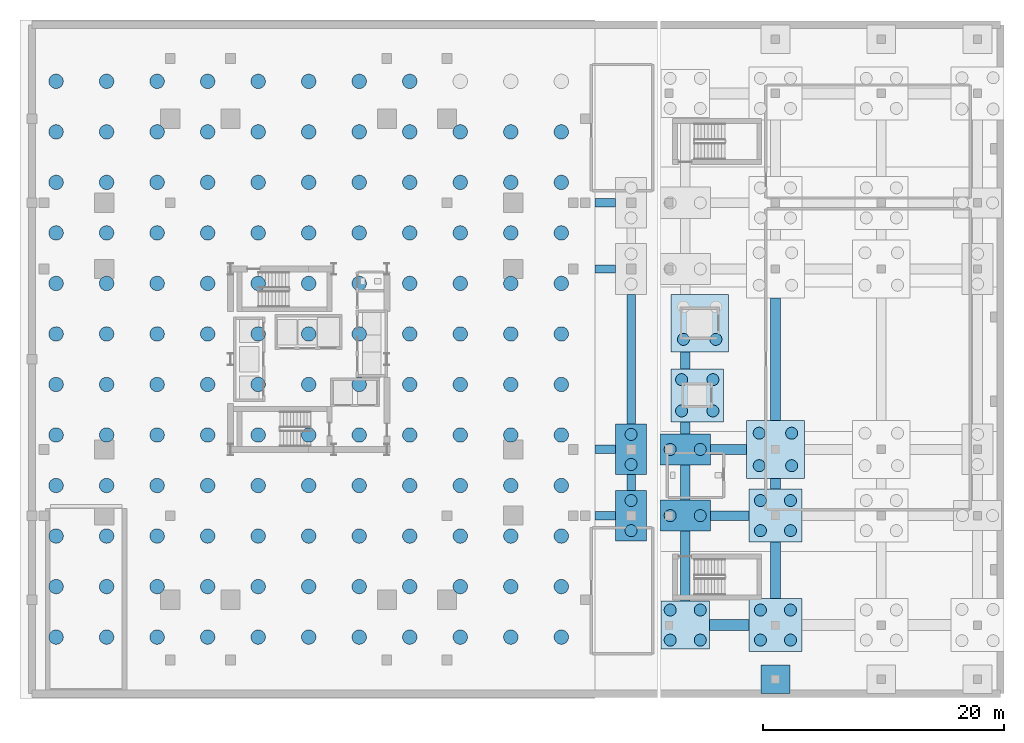
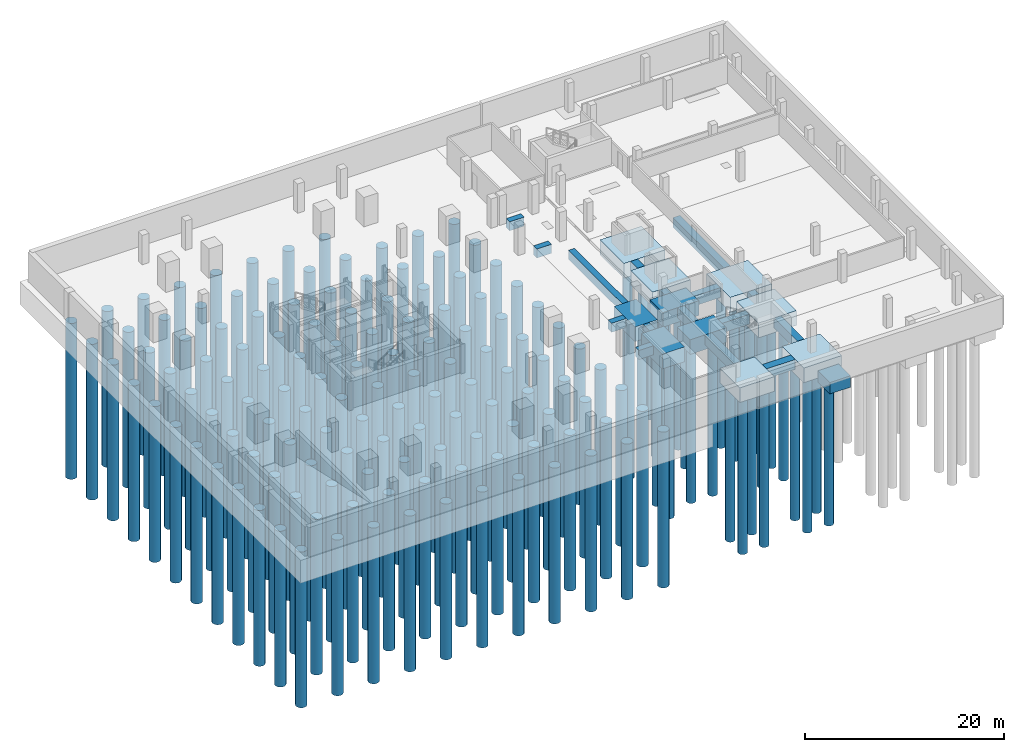
# One storey, part 1 of 13: 159 piles, 27 footings.
"""IFC4 building model written with IfcOpenShell, lengths in metres."""

from ifc_helpers import new_model, si_unit, direction, frame, origin, origin_2d, place, context, subcontext, project, spatial, rectangle, circle, extrude, material, material_profile, profile_set, type_object, element, save


model = new_model("IFC4")

# Units and contexts
model_context = context("Model", 3, precision=1e-05, world=origin(), true_north=direction((0.0, 1.0)))
body_context = subcontext(model_context, "Body", "Model", "MODEL_VIEW")
ifc_project = project(units=[si_unit("LENGTHUNIT", "METRE"), si_unit("AREAUNIT", "SQUARE_METRE"), si_unit("VOLUMEUNIT", "CUBIC_METRE"), si_unit("PLANEANGLEUNIT", "RADIAN"), si_unit("MASSUNIT", "GRAM", prefix="KILO")], contexts=[model_context])

# Site, building, storey
site_placement = place(None, origin())
site = spatial("IfcSite", under=ifc_project, at=site_placement, CompositionType="ELEMENT")
building_placement = place(site_placement, origin())
building = spatial("IfcBuilding", under=site, at=building_placement, Name="Barlavira Tower and Art Museum", CompositionType="ELEMENT")
storey_placement = place(building_placement, frame((0.0, 0.0, -7.199951171875)))
storey = spatial("IfcBuildingStorey", under=building, at=storey_placement, Name="B02", CompositionType="ELEMENT", Elevation=-7.199951171875)

# Footings
ifc_material = material(Name="Concrete C50", Category="concrete")
footing_type_1 = type_object("IfcFootingType", Name="Four-Pile Cap 4000x4000x1800 Concrete C50", PredefinedType="PILE_CAP", material=ifc_material)
footing_1_placement = place(storey_placement, frame((31.300048828125, -22.10009765625, -1.80029296875), z_axis=(0.0, 0.0, 1.0), x_axis=(1.0, 0.0, 0.0)))
element("IfcFooting", 1, at=footing_1_placement, inside=storey, type_object=footing_type_1, Name="Pile Cap PC-M-1-1", PredefinedType="PILE_CAP", context=body_context, shape_type="SweptSolid", body=[
    extrude(rectangle(XDim=4.0, YDim=4.0, at=origin_2d()), origin(), (0.0, 0.0, 1.0), 1.800048828125),
])
footing_type_2 = type_object("IfcFootingType", Name="Four-Pile Cap 4400x4400x1800 Concrete C50", PredefinedType="PILE_CAP", material=ifc_material)
for number, where, z_axis, x_axis, name in (
    (2, (38.800048828125, -22.10009765625, -1.80029296875), (0.0, 0.0, 1.0), (1.0, 0.0, 0.0), "Pile Cap PC-M-2-1"),
    (3, (38.800048828125, -13.0, -1.80029296875), (0.0, 0.0, 1.0), (1.0, 0.0, 0.0), "Pile Cap PC-M-2-2"),
    (4, (32.300048828125, -3.0, -1.80029296875), (0.0, 0.0, 1.0), (1.0, 0.0, 0.0), "Pile Cap PC-ML1"),
):
    element("IfcFooting", number, at=place(storey_placement, frame(where, z_axis=z_axis, x_axis=x_axis)), inside=storey, type_object=footing_type_2, Name=name, PredefinedType="PILE_CAP", context=body_context, shape_type="SweptSolid", body=[
        extrude(rectangle(XDim=4.39990234375, YDim=4.39990234375, at=origin_2d()), origin(), (0.0, 0.0, 1.0), 1.800048828125),
    ])
footing_type_3 = type_object("IfcFootingType", Name="Four-Pile Cap 4800x4800x1800 Concrete C50", PredefinedType="PILE_CAP", material=ifc_material)
for number, where, z_axis, x_axis, name in (
    (5, (38.800048828125, -7.5, -1.80029296875), (0.0, 0.0, 1.0), (1.0, 0.0, 0.0), "Pile Cap PC-M-2-3"),
    (6, (32.5, 3.0, -1.80029296875), (0.0, 0.0, 1.0), (1.0, 0.0, 0.0), "Pile Cap PC-MG1"),
):
    element("IfcFooting", number, at=place(storey_placement, frame(where, z_axis=z_axis, x_axis=x_axis)), inside=storey, type_object=footing_type_3, Name=name, PredefinedType="PILE_CAP", context=body_context, shape_type="SweptSolid", body=[
        extrude(rectangle(XDim=4.800048828125, YDim=4.800048828125, at=origin_2d()), origin(), (0.0, 0.0, 1.0), 1.800048828125),
    ])
footing_type_4 = type_object("IfcFootingType", Name="Garden Pergola Pad Footing 2400x2400x1400 Concrete C50", PredefinedType="PAD_FOOTING", material=ifc_material)
footing_2_placement = place(storey_placement, frame((38.800048828125, -26.60009765625, -1.39990234375), z_axis=(0.0, 0.0, 1.0), x_axis=(1.0, 0.0, 0.0)))
element("IfcFooting", 7, at=footing_2_placement, inside=storey, type_object=footing_type_4, Name="Sculpture Pergola Pad Footing PF-01", PredefinedType="PAD_FOOTING", context=body_context, shape_type="SweptSolid", body=[
    extrude(rectangle(XDim=2.39990234375, YDim=2.39990234375, at=origin_2d()), origin(), (0.0, 0.0, 1.0), 1.39990234375),
])

# Piles
ifc_material_profile_1 = material_profile(ifc_material, circle(Radius=0.5, at=origin_2d()), Name="BORED PILE D1000")
ifc_profile_set_1 = profile_set([ifc_material_profile_1], Name="Concrete C50")
pile_type_1 = type_object("IfcPileType", Name="Rock-Socketed Bored Pile D1000 Concrete C50", PredefinedType="BORED", material=ifc_profile_set_1)
for number, where, z_axis, x_axis, name in (
    (8, (26.800048828125, -14.25, -1.699951171875), (0.0, 0.0, -1.0), (1.0, 0.0, 0.0), "Museum Cap Bored Pile PL-M-001"),
    (9, (26.800048828125, -11.75, -1.699951171875), (0.0, 0.0, -1.0), (1.0, 0.0, 0.0), "Museum Cap Bored Pile PL-M-002"),
    (10, (26.800048828125, -8.75, -1.699951171875), (0.0, 0.0, -1.0), (1.0, 0.0, 0.0), "Museum Cap Bored Pile PL-M-003"),
    (11, (26.800048828125, -6.25, -1.699951171875), (0.0, 0.0, -1.0), (1.0, 0.0, 0.0), "Museum Cap Bored Pile PL-M-004"),
    (12, (30.050048828125, -23.35009765625, -1.699951171875), (0.0, 0.0, -1.0), (1.0, 0.0, 0.0), "Museum Cap Bored Pile PL-M-009"),
    (13, (32.550048828125, -23.35009765625, -1.699951171875), (0.0, 0.0, -1.0), (1.0, 0.0, 0.0), "Museum Cap Bored Pile PL-M-010"),
    (14, (30.050048828125, -20.85009765625, -1.699951171875), (0.0, 0.0, -1.0), (1.0, 0.0, 0.0), "Museum Cap Bored Pile PL-M-011"),
    (15, (32.550048828125, -20.85009765625, -1.699951171875), (0.0, 0.0, -1.0), (1.0, 0.0, 0.0), "Museum Cap Bored Pile PL-M-012"),
    (16, (30.050048828125, -13.0, -1.699951171875), (0.0, 0.0, -1.0), (1.0, 0.0, 0.0), "Museum Cap Bored Pile PL-M-013"),
    (17, (32.550048828125, -13.0, -1.699951171875), (0.0, 0.0, -1.0), (1.0, 0.0, 0.0), "Museum Cap Bored Pile PL-M-014"),
    (18, (30.050048828125, -7.5, -1.699951171875), (0.0, 0.0, -1.0), (1.0, 0.0, 0.0), "Museum Cap Bored Pile PL-M-015"),
    (19, (32.550048828125, -7.5, -1.699951171875), (0.0, 0.0, -1.0), (1.0, 0.0, 0.0), "Museum Cap Bored Pile PL-M-016"),
    (20, (37.550048828125, -23.35009765625, -1.699951171875), (0.0, 0.0, -1.0), (1.0, 0.0, 0.0), "Museum Cap Bored Pile PL-M-025"),
    (21, (40.050048828125, -23.35009765625, -1.699951171875), (0.0, 0.0, -1.0), (1.0, 0.0, 0.0), "Museum Cap Bored Pile PL-M-026"),
    (22, (37.550048828125, -20.85009765625, -1.699951171875), (0.0, 0.0, -1.0), (1.0, 0.0, 0.0), "Museum Cap Bored Pile PL-M-027"),
    (23, (40.050048828125, -20.85009765625, -1.699951171875), (0.0, 0.0, -1.0), (1.0, 0.0, 0.0), "Museum Cap Bored Pile PL-M-028"),
    (24, (37.550048828125, -14.25, -1.699951171875), (0.0, 0.0, -1.0), (1.0, 0.0, 0.0), "Museum Cap Bored Pile PL-M-029"),
    (25, (40.050048828125, -14.25, -1.699951171875), (0.0, 0.0, -1.0), (1.0, 0.0, 0.0), "Museum Cap Bored Pile PL-M-030"),
    (26, (37.550048828125, -11.75, -1.699951171875), (0.0, 0.0, -1.0), (1.0, 0.0, 0.0), "Museum Cap Bored Pile PL-M-031"),
    (27, (40.050048828125, -11.75, -1.699951171875), (0.0, 0.0, -1.0), (1.0, 0.0, 0.0), "Museum Cap Bored Pile PL-M-032"),
    (28, (37.449951171875, -8.85009765625, -1.699951171875), (0.0, 0.0, -1.0), (1.0, 0.0, 0.0), "Museum Cap Bored Pile PL-M-033"),
    (29, (40.14990234375, -8.85009765625, -1.699951171875), (0.0, 0.0, -1.0), (1.0, 0.0, 0.0), "Museum Cap Bored Pile PL-M-034"),
    (30, (37.449951171875, -6.14990234375, -1.699951171875), (0.0, 0.0, -1.0), (1.0, 0.0, 0.0), "Museum Cap Bored Pile PL-M-035"),
    (31, (40.14990234375, -6.14990234375, -1.699951171875), (0.0, 0.0, -1.0), (1.0, 0.0, 0.0), "Museum Cap Bored Pile PL-M-036"),
    (32, (31.0, -4.300048828125, -1.699951171875), (0.0, 0.0, -1.0), (1.0, 0.0, 0.0), "Museum Cap Bored Pile PL-M-089"),
    (33, (33.60009765625, -4.300048828125, -1.699951171875), (0.0, 0.0, -1.0), (1.0, 0.0, 0.0), "Museum Cap Bored Pile PL-M-090"),
    (34, (31.0, -1.699951171875, -1.699951171875), (0.0, 0.0, -1.0), (1.0, 0.0, 0.0), "Museum Cap Bored Pile PL-M-091"),
    (35, (33.60009765625, -1.699951171875, -1.699951171875), (0.0, 0.0, -1.0), (1.0, 0.0, 0.0), "Museum Cap Bored Pile PL-M-092"),
    (36, (31.14990234375, 1.64990234375, -1.699951171875), (0.0, 0.0, -1.0), (1.0, 0.0, 0.0), "Museum Cap Bored Pile PL-M-093"),
    (37, (33.85009765625, 1.64990234375, -1.699951171875), (0.0, 0.0, -1.0), (1.0, 0.0, 0.0), "Museum Cap Bored Pile PL-M-094"),
):
    element("IfcPile", number, at=place(storey_placement, frame(where, z_axis=z_axis, x_axis=x_axis)), inside=storey, type_object=pile_type_1, Name=name, PredefinedType="BORED", context=body_context, shape_type="SweptSolid", body=[
        extrude(circle(Radius=0.5, at=origin_2d()), origin(), (0.0, 0.0, 1.0), 19.10009765625),
    ])
ifc_material_profile_2 = material_profile(ifc_material, circle(Radius=0.60009765625, at=origin_2d()), Name="BORED PILE D1200")
ifc_profile_set_2 = profile_set([ifc_material_profile_2], Name="Concrete C50")
pile_type_2 = type_object("IfcPileType", Name="Rock-Socketed Bored Pile D1200 Concrete C50", PredefinedType="BORED", material=ifc_profile_set_2)
for number, where, z_axis, x_axis, name in (
    (38, (-21.0, -23.10009765625, -2.699951171875), (0.0, 0.0, -1.0), (1.0, 0.0, 0.0), "Tower Bored Pile PL-T-001"),
    (39, (-21.0, -18.89990234375, -2.699951171875), (0.0, 0.0, -1.0), (1.0, 0.0, 0.0), "Tower Bored Pile PL-T-002"),
    (40, (-21.0, -14.699951171875, -2.699951171875), (0.0, 0.0, -1.0), (1.0, 0.0, 0.0), "Tower Bored Pile PL-T-003"),
    (41, (-21.0, -10.5, -2.699951171875), (0.0, 0.0, -1.0), (1.0, 0.0, 0.0), "Tower Bored Pile PL-T-004"),
    (42, (-21.0, -6.300048828125, -2.699951171875), (0.0, 0.0, -1.0), (1.0, 0.0, 0.0), "Tower Bored Pile PL-T-005"),
    (43, (-21.0, -2.10009765625, -2.699951171875), (0.0, 0.0, -1.0), (1.0, 0.0, 0.0), "Tower Bored Pile PL-T-006"),
    (44, (-21.0, 2.10009765625, -2.699951171875), (0.0, 0.0, -1.0), (1.0, 0.0, 0.0), "Tower Bored Pile PL-T-007"),
    (45, (-21.0, 6.300048828125, -2.699951171875), (0.0, 0.0, -1.0), (1.0, 0.0, 0.0), "Tower Bored Pile PL-T-008"),
    (46, (-21.0, 10.5, -2.699951171875), (0.0, 0.0, -1.0), (1.0, 0.0, 0.0), "Tower Bored Pile PL-T-009"),
    (47, (-21.0, 14.699951171875, -2.699951171875), (0.0, 0.0, -1.0), (1.0, 0.0, 0.0), "Tower Bored Pile PL-T-010"),
    (48, (-21.0, 18.89990234375, -2.699951171875), (0.0, 0.0, -1.0), (1.0, 0.0, 0.0), "Tower Bored Pile PL-T-011"),
    (49, (-21.0, 23.10009765625, -2.699951171875), (0.0, 0.0, -1.0), (1.0, 0.0, 0.0), "Tower Bored Pile PL-T-012"),
    (50, (-16.800048828125, -23.10009765625, -2.699951171875), (0.0, 0.0, -1.0), (1.0, 0.0, 0.0), "Tower Bored Pile PL-T-013"),
    (51, (-16.800048828125, -18.89990234375, -2.699951171875), (0.0, 0.0, -1.0), (1.0, 0.0, 0.0), "Tower Bored Pile PL-T-014"),
    (52, (-16.800048828125, -14.699951171875, -2.699951171875), (0.0, 0.0, -1.0), (1.0, 0.0, 0.0), "Tower Bored Pile PL-T-015"),
    (53, (-16.800048828125, -10.5, -2.699951171875), (0.0, 0.0, -1.0), (1.0, 0.0, 0.0), "Tower Bored Pile PL-T-016"),
    (54, (-16.800048828125, -6.300048828125, -2.699951171875), (0.0, 0.0, -1.0), (1.0, 0.0, 0.0), "Tower Bored Pile PL-T-017"),
    (55, (-16.800048828125, -2.10009765625, -2.699951171875), (0.0, 0.0, -1.0), (1.0, 0.0, 0.0), "Tower Bored Pile PL-T-018"),
    (56, (-16.800048828125, 2.10009765625, -2.699951171875), (0.0, 0.0, -1.0), (1.0, 0.0, 0.0), "Tower Bored Pile PL-T-019"),
    (57, (-16.800048828125, 6.300048828125, -2.699951171875), (0.0, 0.0, -1.0), (1.0, 0.0, 0.0), "Tower Bored Pile PL-T-020"),
    (58, (-16.800048828125, 10.5, -2.699951171875), (0.0, 0.0, -1.0), (1.0, 0.0, 0.0), "Tower Bored Pile PL-T-021"),
    (59, (-16.800048828125, 14.699951171875, -2.699951171875), (0.0, 0.0, -1.0), (1.0, 0.0, 0.0), "Tower Bored Pile PL-T-022"),
    (60, (-16.800048828125, 18.89990234375, -2.699951171875), (0.0, 0.0, -1.0), (1.0, 0.0, 0.0), "Tower Bored Pile PL-T-023"),
    (61, (-16.800048828125, 23.10009765625, -2.699951171875), (0.0, 0.0, -1.0), (1.0, 0.0, 0.0), "Tower Bored Pile PL-T-024"),
    (62, (-12.60009765625, -23.10009765625, -2.699951171875), (0.0, 0.0, -1.0), (1.0, 0.0, 0.0), "Tower Bored Pile PL-T-025"),
    (63, (-12.60009765625, -18.89990234375, -2.699951171875), (0.0, 0.0, -1.0), (1.0, 0.0, 0.0), "Tower Bored Pile PL-T-026"),
    (64, (-12.60009765625, -14.699951171875, -2.699951171875), (0.0, 0.0, -1.0), (1.0, 0.0, 0.0), "Tower Bored Pile PL-T-027"),
    (65, (-12.60009765625, -10.5, -2.699951171875), (0.0, 0.0, -1.0), (1.0, 0.0, 0.0), "Tower Bored Pile PL-T-028"),
    (66, (-12.60009765625, -6.300048828125, -2.699951171875), (0.0, 0.0, -1.0), (1.0, 0.0, 0.0), "Tower Bored Pile PL-T-029"),
    (67, (-12.60009765625, -2.10009765625, -2.699951171875), (0.0, 0.0, -1.0), (1.0, 0.0, 0.0), "Tower Bored Pile PL-T-030"),
    (68, (-12.60009765625, 2.10009765625, -2.699951171875), (0.0, 0.0, -1.0), (1.0, 0.0, 0.0), "Tower Bored Pile PL-T-031"),
    (69, (-12.60009765625, 6.300048828125, -2.699951171875), (0.0, 0.0, -1.0), (1.0, 0.0, 0.0), "Tower Bored Pile PL-T-032"),
    (70, (-12.60009765625, 10.5, -2.699951171875), (0.0, 0.0, -1.0), (1.0, 0.0, 0.0), "Tower Bored Pile PL-T-033"),
    (71, (-12.60009765625, 14.699951171875, -2.699951171875), (0.0, 0.0, -1.0), (1.0, 0.0, 0.0), "Tower Bored Pile PL-T-034"),
    (72, (-12.60009765625, 18.89990234375, -2.699951171875), (0.0, 0.0, -1.0), (1.0, 0.0, 0.0), "Tower Bored Pile PL-T-035"),
    (73, (-12.60009765625, 23.10009765625, -2.699951171875), (0.0, 0.0, -1.0), (1.0, 0.0, 0.0), "Tower Bored Pile PL-T-036"),
    (74, (-8.39990234375, -23.10009765625, -2.699951171875), (0.0, 0.0, -1.0), (1.0, 0.0, 0.0), "Tower Bored Pile PL-T-037"),
    (75, (-8.39990234375, -18.89990234375, -2.699951171875), (0.0, 0.0, -1.0), (1.0, 0.0, 0.0), "Tower Bored Pile PL-T-038"),
    (76, (-8.39990234375, -14.699951171875, -2.699951171875), (0.0, 0.0, -1.0), (1.0, 0.0, 0.0), "Tower Bored Pile PL-T-039"),
    (77, (-8.39990234375, -10.5, -2.699951171875), (0.0, 0.0, -1.0), (1.0, 0.0, 0.0), "Tower Bored Pile PL-T-040"),
    (78, (-8.39990234375, -6.300048828125, -2.699951171875), (0.0, 0.0, -1.0), (1.0, 0.0, 0.0), "Tower Bored Pile PL-T-041"),
    (79, (-8.39990234375, -2.10009765625, -2.699951171875), (0.0, 0.0, -1.0), (1.0, 0.0, 0.0), "Tower Bored Pile PL-T-042"),
    (80, (-8.39990234375, 2.10009765625, -2.699951171875), (0.0, 0.0, -1.0), (1.0, 0.0, 0.0), "Tower Bored Pile PL-T-043"),
    (81, (-8.39990234375, 6.300048828125, -2.699951171875), (0.0, 0.0, -1.0), (1.0, 0.0, 0.0), "Tower Bored Pile PL-T-044"),
    (82, (-8.39990234375, 10.5, -2.699951171875), (0.0, 0.0, -1.0), (1.0, 0.0, 0.0), "Tower Bored Pile PL-T-045"),
    (83, (-8.39990234375, 14.699951171875, -2.699951171875), (0.0, 0.0, -1.0), (1.0, 0.0, 0.0), "Tower Bored Pile PL-T-046"),
    (84, (-8.39990234375, 18.89990234375, -2.699951171875), (0.0, 0.0, -1.0), (1.0, 0.0, 0.0), "Tower Bored Pile PL-T-047"),
    (85, (-8.39990234375, 23.10009765625, -2.699951171875), (0.0, 0.0, -1.0), (1.0, 0.0, 0.0), "Tower Bored Pile PL-T-048"),
    (86, (-4.199951171875, -23.10009765625, -2.699951171875), (0.0, 0.0, -1.0), (1.0, 0.0, 0.0), "Tower Bored Pile PL-T-049"),
    (87, (-4.199951171875, -18.89990234375, -2.699951171875), (0.0, 0.0, -1.0), (1.0, 0.0, 0.0), "Tower Bored Pile PL-T-050"),
    (88, (-4.199951171875, -14.699951171875, -2.699951171875), (0.0, 0.0, -1.0), (1.0, 0.0, 0.0), "Tower Bored Pile PL-T-051"),
    (89, (-4.199951171875, -10.5, -2.699951171875), (0.0, 0.0, -1.0), (1.0, 0.0, 0.0), "Tower Bored Pile PL-T-052"),
    (90, (-4.199951171875, -6.300048828125, -2.699951171875), (0.0, 0.0, -1.0), (1.0, 0.0, 0.0), "Tower Bored Pile PL-T-053"),
    (91, (-4.199951171875, -2.10009765625, -2.699951171875), (0.0, 0.0, -1.0), (1.0, 0.0, 0.0), "Tower Bored Pile PL-T-054"),
    (92, (-4.199951171875, 2.10009765625, -2.699951171875), (0.0, 0.0, -1.0), (1.0, 0.0, 0.0), "Tower Bored Pile PL-T-055"),
    (93, (-4.199951171875, 6.300048828125, -2.699951171875), (0.0, 0.0, -1.0), (1.0, 0.0, 0.0), "Tower Bored Pile PL-T-056"),
    (94, (-4.199951171875, 10.5, -2.699951171875), (0.0, 0.0, -1.0), (1.0, 0.0, 0.0), "Tower Bored Pile PL-T-057"),
    (95, (-4.199951171875, 14.699951171875, -2.699951171875), (0.0, 0.0, -1.0), (1.0, 0.0, 0.0), "Tower Bored Pile PL-T-058"),
    (96, (-4.199951171875, 18.89990234375, -2.699951171875), (0.0, 0.0, -1.0), (1.0, 0.0, 0.0), "Tower Bored Pile PL-T-059"),
    (97, (-4.199951171875, 23.10009765625, -2.699951171875), (0.0, 0.0, -1.0), (1.0, 0.0, 0.0), "Tower Bored Pile PL-T-060"),
    (98, (0.0, -23.10009765625, -2.699951171875), (0.0, 0.0, -1.0), (1.0, 0.0, 0.0), "Tower Bored Pile PL-T-061"),
    (99, (0.0, -18.89990234375, -2.699951171875), (0.0, 0.0, -1.0), (1.0, 0.0, 0.0), "Tower Bored Pile PL-T-062"),
    (100, (0.0, -14.699951171875, -2.699951171875), (0.0, 0.0, -1.0), (1.0, 0.0, 0.0), "Tower Bored Pile PL-T-063"),
    (101, (0.0, -10.5, -2.699951171875), (0.0, 0.0, -1.0), (1.0, 0.0, 0.0), "Tower Bored Pile PL-T-064"),
    (102, (0.0, -6.300048828125, -2.699951171875), (0.0, 0.0, -1.0), (1.0, 0.0, 0.0), "Tower Bored Pile PL-T-065"),
    (103, (0.0, -2.10009765625, -2.699951171875), (0.0, 0.0, -1.0), (1.0, 0.0, 0.0), "Tower Bored Pile PL-T-066"),
    (104, (0.0, 2.10009765625, -2.699951171875), (0.0, 0.0, -1.0), (1.0, 0.0, 0.0), "Tower Bored Pile PL-T-067"),
    (105, (0.0, 6.300048828125, -2.699951171875), (0.0, 0.0, -1.0), (1.0, 0.0, 0.0), "Tower Bored Pile PL-T-068"),
    (106, (0.0, 10.5, -2.699951171875), (0.0, 0.0, -1.0), (1.0, 0.0, 0.0), "Tower Bored Pile PL-T-069"),
    (107, (0.0, 14.699951171875, -2.699951171875), (0.0, 0.0, -1.0), (1.0, 0.0, 0.0), "Tower Bored Pile PL-T-070"),
    (108, (0.0, 18.89990234375, -2.699951171875), (0.0, 0.0, -1.0), (1.0, 0.0, 0.0), "Tower Bored Pile PL-T-071"),
    (109, (0.0, 23.10009765625, -2.699951171875), (0.0, 0.0, -1.0), (1.0, 0.0, 0.0), "Tower Bored Pile PL-T-072"),
    (110, (4.199951171875, -23.10009765625, -2.699951171875), (0.0, 0.0, -1.0), (1.0, 0.0, 0.0), "Tower Bored Pile PL-T-073"),
    (111, (4.199951171875, -18.89990234375, -2.699951171875), (0.0, 0.0, -1.0), (1.0, 0.0, 0.0), "Tower Bored Pile PL-T-074"),
    (112, (4.199951171875, -14.699951171875, -2.699951171875), (0.0, 0.0, -1.0), (1.0, 0.0, 0.0), "Tower Bored Pile PL-T-075"),
    (113, (4.199951171875, -10.5, -2.699951171875), (0.0, 0.0, -1.0), (1.0, 0.0, 0.0), "Tower Bored Pile PL-T-076"),
    (114, (4.199951171875, -6.300048828125, -2.699951171875), (0.0, 0.0, -1.0), (1.0, 0.0, 0.0), "Tower Bored Pile PL-T-077"),
    (115, (4.199951171875, -2.10009765625, -2.699951171875), (0.0, 0.0, -1.0), (1.0, 0.0, 0.0), "Tower Bored Pile PL-T-078"),
    (116, (4.199951171875, 2.10009765625, -2.699951171875), (0.0, 0.0, -1.0), (1.0, 0.0, 0.0), "Tower Bored Pile PL-T-079"),
    (117, (4.199951171875, 6.300048828125, -2.699951171875), (0.0, 0.0, -1.0), (1.0, 0.0, 0.0), "Tower Bored Pile PL-T-080"),
    (118, (4.199951171875, 10.5, -2.699951171875), (0.0, 0.0, -1.0), (1.0, 0.0, 0.0), "Tower Bored Pile PL-T-081"),
    (119, (4.199951171875, 14.699951171875, -2.699951171875), (0.0, 0.0, -1.0), (1.0, 0.0, 0.0), "Tower Bored Pile PL-T-082"),
    (120, (4.199951171875, 18.89990234375, -2.699951171875), (0.0, 0.0, -1.0), (1.0, 0.0, 0.0), "Tower Bored Pile PL-T-083"),
    (121, (4.199951171875, 23.10009765625, -2.699951171875), (0.0, 0.0, -1.0), (1.0, 0.0, 0.0), "Tower Bored Pile PL-T-084"),
    (122, (8.39990234375, -23.10009765625, -2.699951171875), (0.0, 0.0, -1.0), (1.0, 0.0, 0.0), "Tower Bored Pile PL-T-085"),
    (123, (8.39990234375, -18.89990234375, -2.699951171875), (0.0, 0.0, -1.0), (1.0, 0.0, 0.0), "Tower Bored Pile PL-T-086"),
    (124, (8.39990234375, -14.699951171875, -2.699951171875), (0.0, 0.0, -1.0), (1.0, 0.0, 0.0), "Tower Bored Pile PL-T-087"),
    (125, (8.39990234375, -10.5, -2.699951171875), (0.0, 0.0, -1.0), (1.0, 0.0, 0.0), "Tower Bored Pile PL-T-088"),
    (126, (8.39990234375, -6.300048828125, -2.699951171875), (0.0, 0.0, -1.0), (1.0, 0.0, 0.0), "Tower Bored Pile PL-T-089"),
    (127, (8.39990234375, -2.10009765625, -2.699951171875), (0.0, 0.0, -1.0), (1.0, 0.0, 0.0), "Tower Bored Pile PL-T-090"),
    (128, (8.39990234375, 2.10009765625, -2.699951171875), (0.0, 0.0, -1.0), (1.0, 0.0, 0.0), "Tower Bored Pile PL-T-091"),
    (129, (8.39990234375, 6.300048828125, -2.699951171875), (0.0, 0.0, -1.0), (1.0, 0.0, 0.0), "Tower Bored Pile PL-T-092"),
    (130, (8.39990234375, 10.5, -2.699951171875), (0.0, 0.0, -1.0), (1.0, 0.0, 0.0), "Tower Bored Pile PL-T-093"),
    (131, (8.39990234375, 14.699951171875, -2.699951171875), (0.0, 0.0, -1.0), (1.0, 0.0, 0.0), "Tower Bored Pile PL-T-094"),
    (132, (8.39990234375, 18.89990234375, -2.699951171875), (0.0, 0.0, -1.0), (1.0, 0.0, 0.0), "Tower Bored Pile PL-T-095"),
    (133, (8.39990234375, 23.10009765625, -2.699951171875), (0.0, 0.0, -1.0), (1.0, 0.0, 0.0), "Tower Bored Pile PL-T-096"),
    (134, (12.60009765625, -23.10009765625, -2.699951171875), (0.0, 0.0, -1.0), (1.0, 0.0, 0.0), "Tower Bored Pile PL-T-097"),
    (135, (12.60009765625, -18.89990234375, -2.699951171875), (0.0, 0.0, -1.0), (1.0, 0.0, 0.0), "Tower Bored Pile PL-T-098"),
    (136, (12.60009765625, -14.699951171875, -2.699951171875), (0.0, 0.0, -1.0), (1.0, 0.0, 0.0), "Tower Bored Pile PL-T-099"),
    (137, (12.60009765625, -10.5, -2.699951171875), (0.0, 0.0, -1.0), (1.0, 0.0, 0.0), "Tower Bored Pile PL-T-100"),
    (138, (12.60009765625, -6.300048828125, -2.699951171875), (0.0, 0.0, -1.0), (1.0, 0.0, 0.0), "Tower Bored Pile PL-T-101"),
    (139, (12.60009765625, -2.10009765625, -2.699951171875), (0.0, 0.0, -1.0), (1.0, 0.0, 0.0), "Tower Bored Pile PL-T-102"),
    (140, (12.60009765625, 2.10009765625, -2.699951171875), (0.0, 0.0, -1.0), (1.0, 0.0, 0.0), "Tower Bored Pile PL-T-103"),
    (141, (12.60009765625, 6.300048828125, -2.699951171875), (0.0, 0.0, -1.0), (1.0, 0.0, 0.0), "Tower Bored Pile PL-T-104"),
    (142, (12.60009765625, 10.5, -2.699951171875), (0.0, 0.0, -1.0), (1.0, 0.0, 0.0), "Tower Bored Pile PL-T-105"),
    (143, (12.60009765625, 14.699951171875, -2.699951171875), (0.0, 0.0, -1.0), (1.0, 0.0, 0.0), "Tower Bored Pile PL-T-106"),
    (144, (12.60009765625, 18.89990234375, -2.699951171875), (0.0, 0.0, -1.0), (1.0, 0.0, 0.0), "Tower Bored Pile PL-T-107"),
    (145, (16.800048828125, -23.10009765625, -2.699951171875), (0.0, 0.0, -1.0), (1.0, 0.0, 0.0), "Tower Bored Pile PL-T-109"),
    (146, (16.800048828125, -18.89990234375, -2.699951171875), (0.0, 0.0, -1.0), (1.0, 0.0, 0.0), "Tower Bored Pile PL-T-110"),
    (147, (16.800048828125, -14.699951171875, -2.699951171875), (0.0, 0.0, -1.0), (1.0, 0.0, 0.0), "Tower Bored Pile PL-T-111"),
    (148, (16.800048828125, -10.5, -2.699951171875), (0.0, 0.0, -1.0), (1.0, 0.0, 0.0), "Tower Bored Pile PL-T-112"),
    (149, (16.800048828125, -6.300048828125, -2.699951171875), (0.0, 0.0, -1.0), (1.0, 0.0, 0.0), "Tower Bored Pile PL-T-113"),
    (150, (16.800048828125, -2.10009765625, -2.699951171875), (0.0, 0.0, -1.0), (1.0, 0.0, 0.0), "Tower Bored Pile PL-T-114"),
    (151, (16.800048828125, 2.10009765625, -2.699951171875), (0.0, 0.0, -1.0), (1.0, 0.0, 0.0), "Tower Bored Pile PL-T-115"),
    (152, (16.800048828125, 6.300048828125, -2.699951171875), (0.0, 0.0, -1.0), (1.0, 0.0, 0.0), "Tower Bored Pile PL-T-116"),
    (153, (16.800048828125, 10.5, -2.699951171875), (0.0, 0.0, -1.0), (1.0, 0.0, 0.0), "Tower Bored Pile PL-T-117"),
    (154, (16.800048828125, 14.699951171875, -2.699951171875), (0.0, 0.0, -1.0), (1.0, 0.0, 0.0), "Tower Bored Pile PL-T-118"),
    (155, (16.800048828125, 18.89990234375, -2.699951171875), (0.0, 0.0, -1.0), (1.0, 0.0, 0.0), "Tower Bored Pile PL-T-119"),
    (156, (21.0, -23.10009765625, -2.699951171875), (0.0, 0.0, -1.0), (1.0, 0.0, 0.0), "Tower Bored Pile PL-T-121"),
    (157, (21.0, -18.89990234375, -2.699951171875), (0.0, 0.0, -1.0), (1.0, 0.0, 0.0), "Tower Bored Pile PL-T-122"),
    (158, (21.0, -14.699951171875, -2.699951171875), (0.0, 0.0, -1.0), (1.0, 0.0, 0.0), "Tower Bored Pile PL-T-123"),
    (159, (21.0, -10.5, -2.699951171875), (0.0, 0.0, -1.0), (1.0, 0.0, 0.0), "Tower Bored Pile PL-T-124"),
    (160, (21.0, -6.300048828125, -2.699951171875), (0.0, 0.0, -1.0), (1.0, 0.0, 0.0), "Tower Bored Pile PL-T-125"),
    (161, (21.0, -2.10009765625, -2.699951171875), (0.0, 0.0, -1.0), (1.0, 0.0, 0.0), "Tower Bored Pile PL-T-126"),
    (162, (21.0, 2.10009765625, -2.699951171875), (0.0, 0.0, -1.0), (1.0, 0.0, 0.0), "Tower Bored Pile PL-T-127"),
    (163, (21.0, 6.300048828125, -2.699951171875), (0.0, 0.0, -1.0), (1.0, 0.0, 0.0), "Tower Bored Pile PL-T-128"),
    (164, (21.0, 10.5, -2.699951171875), (0.0, 0.0, -1.0), (1.0, 0.0, 0.0), "Tower Bored Pile PL-T-129"),
    (165, (21.0, 14.699951171875, -2.699951171875), (0.0, 0.0, -1.0), (1.0, 0.0, 0.0), "Tower Bored Pile PL-T-130"),
    (166, (21.0, 18.89990234375, -2.699951171875), (0.0, 0.0, -1.0), (1.0, 0.0, 0.0), "Tower Bored Pile PL-T-131"),
):
    element("IfcPile", number, at=place(storey_placement, frame(where, z_axis=z_axis, x_axis=x_axis)), inside=storey, type_object=pile_type_2, Name=name, PredefinedType="BORED", context=body_context, shape_type="SweptSolid", body=[
        extrude(circle(Radius=0.60009765625, at=origin_2d()), origin(), (0.0, 0.0, 1.0), 19.10009765625),
    ])

# Footings
footing_type_5 = type_object("IfcFootingType", Name="Substructure Tie Beam 700x1100 Concrete C50", PredefinedType="FOOTING_BEAM", material=ifc_material)
footing_3_placement = place(storey_placement, frame((24.64990234375, -13.0, -1.10009765625), z_axis=(0.0, 0.0, 1.0), x_axis=(1.0, 0.0, 0.0)))
element("IfcFooting", 167, at=footing_3_placement, inside=storey, type_object=footing_type_5, Name="Arcade Tie Beam FB-001", PredefinedType="FOOTING_BEAM", context=body_context, shape_type="SweptSolid", body=[
    extrude(rectangle(XDim=1.699951171875, YDim=0.699951171875, at=origin_2d()), origin(), (0.0, 0.0, 1.0), 1.10009765625),
])
footing_4_placement = place(storey_placement, frame((26.800048828125, -10.25, -1.10009765625), z_axis=(0.0, 0.0, 1.0), x_axis=(1.0, 0.0, 0.0)))
element("IfcFooting", 168, at=footing_4_placement, inside=storey, type_object=footing_type_5, Name="Arcade Longitudinal Tie Beam FB-002", PredefinedType="FOOTING_BEAM", context=body_context, shape_type="SweptSolid", body=[
    extrude(rectangle(XDim=0.699951171875, YDim=1.300048828125, at=origin_2d()), origin(), (0.0, 0.0, 1.0), 1.10009765625),
])
footing_5_placement = place(storey_placement, frame((24.64990234375, -7.5, -1.10009765625), z_axis=(0.0, 0.0, 1.0), x_axis=(1.0, 0.0, 0.0)))
element("IfcFooting", 169, at=footing_5_placement, inside=storey, type_object=footing_type_5, Name="Arcade Tie Beam FB-003", PredefinedType="FOOTING_BEAM", context=body_context, shape_type="SweptSolid", body=[
    extrude(rectangle(XDim=1.699951171875, YDim=0.699951171875, at=origin_2d()), origin(), (0.0, 0.0, 1.0), 1.10009765625),
])
footing_6_placement = place(storey_placement, frame((26.800048828125, 0.0, -1.10009765625), z_axis=(0.0, 0.0, 1.0), x_axis=(1.0, 0.0, 0.0)))
element("IfcFooting", 170, at=footing_6_placement, inside=storey, type_object=footing_type_5, Name="Arcade Longitudinal Tie Beam FB-004", PredefinedType="FOOTING_BEAM", context=body_context, shape_type="SweptSolid", body=[
    extrude(rectangle(XDim=0.699951171875, YDim=10.800048828125, at=origin_2d()), origin(), (0.0, 0.0, 1.0), 1.10009765625),
])
for number, where, z_axis, x_axis, name in (
    (171, (24.64990234375, 7.5, -1.10009765625), (0.0, 0.0, 1.0), (1.0, 0.0, 0.0), "Arcade Tie Beam FB-005"),
    (172, (24.64990234375, 13.0, -1.10009765625), (0.0, 0.0, 1.0), (1.0, 0.0, 0.0), "Arcade Tie Beam FB-007"),
):
    element("IfcFooting", number, at=place(storey_placement, frame(where, z_axis=z_axis, x_axis=x_axis)), inside=storey, type_object=footing_type_5, Name=name, PredefinedType="FOOTING_BEAM", context=body_context, shape_type="SweptSolid", body=[
        extrude(rectangle(XDim=1.699951171875, YDim=0.699951171875, at=origin_2d()), origin(), (0.0, 0.0, 1.0), 1.10009765625),
    ])
footing_type_6 = type_object("IfcFootingType", Name="Substructure Tie Beam 800x1200 Concrete C50", PredefinedType="FOOTING_BEAM", material=ifc_material)
footing_7_placement = place(storey_placement, frame((31.300048828125, -17.199951171875, -1.2001953125), z_axis=(0.0, 0.0, 1.0), x_axis=(1.0, 0.0, 0.0)))
element("IfcFooting", 173, at=footing_7_placement, inside=storey, type_object=footing_type_6, Name="Museum Tie Beam FB-009", PredefinedType="FOOTING_BEAM", context=body_context, shape_type="SweptSolid", body=[
    extrude(rectangle(XDim=0.800048828125, YDim=5.800048828125, at=origin_2d()), origin(), (0.0, 0.0, 1.0), 1.199951171875),
])
footing_8_placement = place(storey_placement, frame((35.0, -13.0, -1.2001953125), z_axis=(0.0, 0.0, 1.0), x_axis=(1.0, 0.0, 0.0)))
element("IfcFooting", 174, at=footing_8_placement, inside=storey, type_object=footing_type_6, Name="Museum Tie Beam FB-010", PredefinedType="FOOTING_BEAM", context=body_context, shape_type="SweptSolid", body=[
    extrude(rectangle(XDim=3.199951171875, YDim=0.800048828125, at=origin_2d()), origin(), (0.0, 0.0, 1.0), 1.199951171875),
])
footing_9_placement = place(storey_placement, frame((31.300048828125, -10.25, -1.2001953125), z_axis=(0.0, 0.0, 1.0), x_axis=(1.0, 0.0, 0.0)))
element("IfcFooting", 175, at=footing_9_placement, inside=storey, type_object=footing_type_6, Name="Museum Tie Beam FB-011", PredefinedType="FOOTING_BEAM", context=body_context, shape_type="SweptSolid", body=[
    extrude(rectangle(XDim=0.800048828125, YDim=2.89990234375, at=origin_2d()), origin(), (0.0, 0.0, 1.0), 1.199951171875),
])
footing_10_placement = place(storey_placement, frame((34.89990234375, -7.5, -1.2001953125), z_axis=(0.0, 0.0, 1.0), x_axis=(1.0, 0.0, 0.0)))
element("IfcFooting", 176, at=footing_10_placement, inside=storey, type_object=footing_type_6, Name="Museum Tie Beam FB-012", PredefinedType="FOOTING_BEAM", context=body_context, shape_type="SweptSolid", body=[
    extrude(rectangle(XDim=3.0, YDim=0.800048828125, at=origin_2d()), origin(), (0.0, 0.0, 1.0), 1.199951171875),
])
footing_11_placement = place(storey_placement, frame((31.300048828125, -5.699951171875, -1.2001953125), z_axis=(0.0, 0.0, 1.0), x_axis=(1.0, 0.0, 0.0)))
element("IfcFooting", 177, at=footing_11_placement, inside=storey, type_object=footing_type_6, Name="Museum Tie Beam FB-013", PredefinedType="FOOTING_BEAM", context=body_context, shape_type="SweptSolid", body=[
    extrude(rectangle(XDim=0.800048828125, YDim=1.0, at=origin_2d()), origin(), (0.0, 0.0, 1.0), 1.199951171875),
])
footing_12_placement = place(storey_placement, frame((31.300048828125, -0.10009765625, -1.2001953125), z_axis=(0.0, 0.0, 1.0), x_axis=(1.0, 0.0, 0.0)))
element("IfcFooting", 178, at=footing_12_placement, inside=storey, type_object=footing_type_6, Name="Museum Tie Beam FB-014", PredefinedType="FOOTING_BEAM", context=body_context, shape_type="SweptSolid", body=[
    extrude(rectangle(XDim=0.800048828125, YDim=1.39990234375, at=origin_2d()), origin(), (0.0, 0.0, 1.0), 1.199951171875),
])
footing_13_placement = place(storey_placement, frame((38.800048828125, -17.550048828125, -1.2001953125), z_axis=(0.0, 0.0, 1.0), x_axis=(1.0, 0.0, 0.0)))
element("IfcFooting", 179, at=footing_13_placement, inside=storey, type_object=footing_type_6, Name="Museum Tie Beam FB-022", PredefinedType="FOOTING_BEAM", context=body_context, shape_type="SweptSolid", body=[
    extrude(rectangle(XDim=0.800048828125, YDim=4.699951171875, at=origin_2d()), origin(), (0.0, 0.0, 1.0), 1.199951171875),
])
footing_14_placement = place(storey_placement, frame((38.800048828125, -10.35009765625, -1.2001953125), z_axis=(0.0, 0.0, 1.0), x_axis=(1.0, 0.0, 0.0)))
element("IfcFooting", 180, at=footing_14_placement, inside=storey, type_object=footing_type_6, Name="Museum Tie Beam FB-024", PredefinedType="FOOTING_BEAM", context=body_context, shape_type="SweptSolid", body=[
    extrude(rectangle(XDim=0.800048828125, YDim=0.89990234375, at=origin_2d()), origin(), (0.0, 0.0, 1.0), 1.199951171875),
])
footing_15_placement = place(storey_placement, frame((38.800048828125, 0.0, -1.2001953125), z_axis=(0.0, 0.0, 1.0), x_axis=(1.0, 0.0, 0.0)))
element("IfcFooting", 181, at=footing_15_placement, inside=storey, type_object=footing_type_6, Name="Museum Tie Beam FB-026", PredefinedType="FOOTING_BEAM", context=body_context, shape_type="SweptSolid", body=[
    extrude(rectangle(XDim=0.800048828125, YDim=10.199951171875, at=origin_2d()), origin(), (0.0, 0.0, 1.0), 1.199951171875),
])
footing_type_7 = type_object("IfcFootingType", Name="Substructure Tie Beam 900x1200 Concrete C50", PredefinedType="FOOTING_BEAM", material=ifc_material)
footing_16_placement = place(storey_placement, frame((34.949951171875, -22.10009765625, -1.2001953125), z_axis=(0.0, 0.0, 1.0), x_axis=(1.0, 0.0, 0.0)))
element("IfcFooting", 182, at=footing_16_placement, inside=storey, type_object=footing_type_7, Name="Museum Tie Beam FB-008", PredefinedType="FOOTING_BEAM", context=body_context, shape_type="SweptSolid", body=[
    extrude(rectangle(XDim=3.300048828125, YDim=0.89990234375, at=origin_2d()), origin(), (0.0, 0.0, 1.0), 1.199951171875),
])
footing_type_8 = type_object("IfcFootingType", Name="Two-Pile Cap 2600x4200x1800 Concrete C50", PredefinedType="PILE_CAP", material=ifc_material)
for number, where, z_axis, x_axis, name in (
    (183, (26.800048828125, -13.0, -1.80029296875), (0.0, 0.0, 1.0), (1.0, 0.0, 0.0), "Pile Cap PC-ARC-1"),
    (184, (26.800048828125, -7.5, -1.80029296875), (0.0, 0.0, 1.0), (1.0, 0.0, 0.0), "Pile Cap PC-ARC-2"),
):
    element("IfcFooting", number, at=place(storey_placement, frame(where, z_axis=z_axis, x_axis=x_axis)), inside=storey, type_object=footing_type_8, Name=name, PredefinedType="PILE_CAP", context=body_context, shape_type="SweptSolid", body=[
        extrude(rectangle(XDim=2.60009765625, YDim=4.199951171875, at=origin_2d()), origin(), (0.0, 0.0, 1.0), 1.800048828125),
    ])
footing_type_9 = type_object("IfcFootingType", Name="Two-Pile Cap 4200x2600x1800 Concrete C50", PredefinedType="PILE_CAP", material=ifc_material)
for number, where, z_axis, x_axis, name in (
    (185, (31.300048828125, -13.0, -1.80029296875), (0.0, 0.0, 1.0), (1.0, 0.0, 0.0), "Pile Cap PC-M-1-2"),
    (186, (31.300048828125, -7.5, -1.80029296875), (0.0, 0.0, 1.0), (1.0, 0.0, 0.0), "Pile Cap PC-M-1-3"),
):
    element("IfcFooting", number, at=place(storey_placement, frame(where, z_axis=z_axis, x_axis=x_axis)), inside=storey, type_object=footing_type_9, Name=name, PredefinedType="PILE_CAP", context=body_context, shape_type="SweptSolid", body=[
        extrude(rectangle(XDim=4.199951171875, YDim=2.60009765625, at=origin_2d()), origin(), (0.0, 0.0, 1.0), 1.800048828125),
    ])

save(model, "model.ifc")
